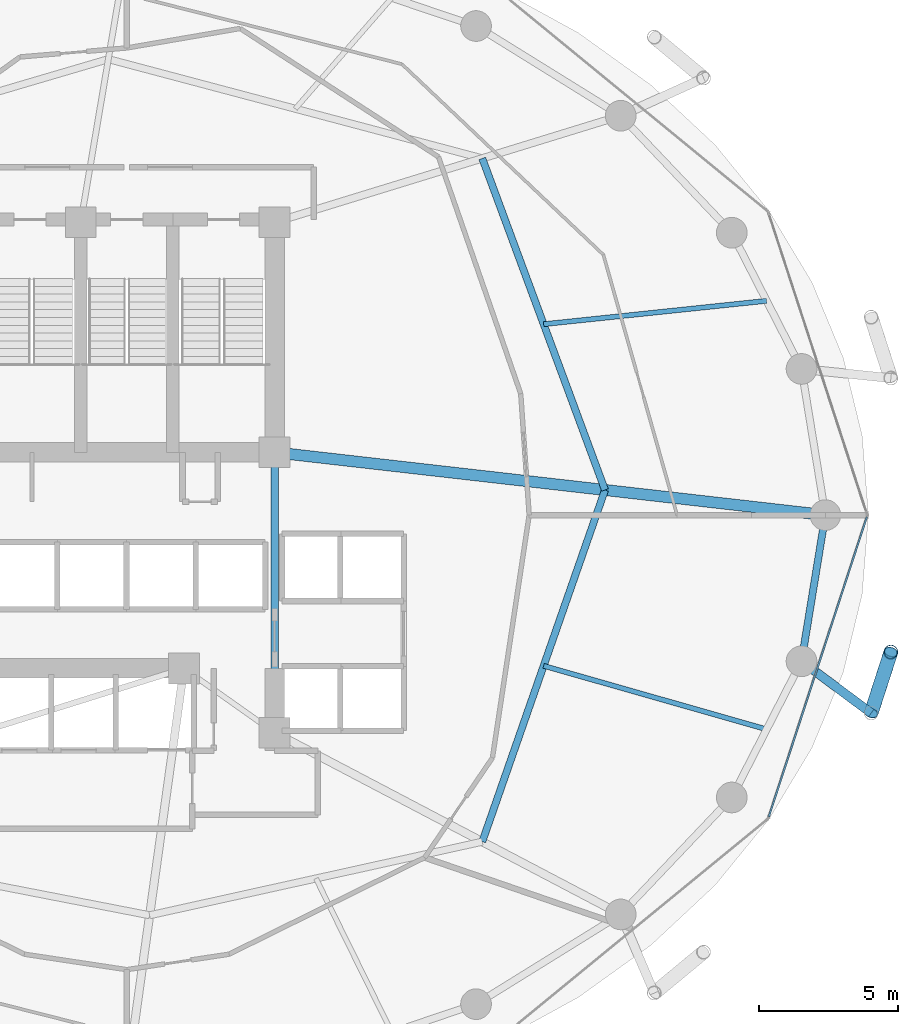
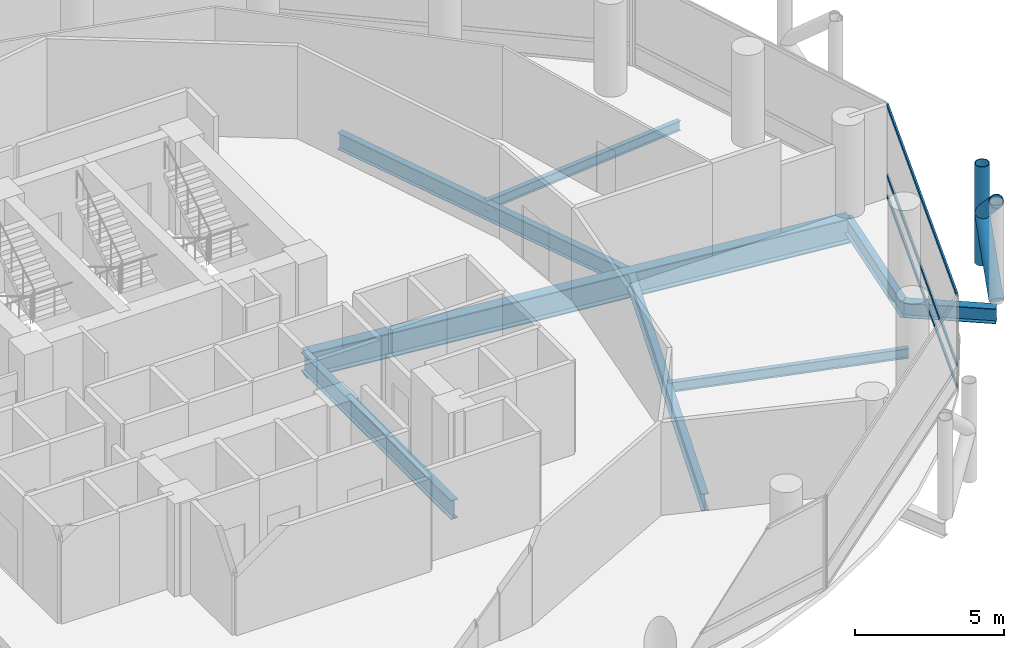
# One storey, part 11 of 24: 8 beams, 6 members, 1 element without a shape of its own.
"""IFC4 building model written with IfcOpenShell, lengths in metres."""

from ifc_helpers import new_model, si_unit, direction, frame, origin, origin_2d, place, context, subcontext, project, spatial, hollow_rectangle, hollow_circle, i_section, extrude, material, layer, layer_set, material_profile, profile_set, type_object, element, aggregate, save


model = new_model("IFC4")

# Units and contexts
model_context = context("Model", 3, precision=1e-05, world=origin(), true_north=direction((0.0, 1.0)))
body_context = subcontext(model_context, "Body", "Model", "MODEL_VIEW")
ifc_project = project(units=[si_unit("LENGTHUNIT", "METRE"), si_unit("AREAUNIT", "SQUARE_METRE"), si_unit("VOLUMEUNIT", "CUBIC_METRE"), si_unit("PLANEANGLEUNIT", "RADIAN"), si_unit("MASSUNIT", "GRAM", prefix="KILO")], contexts=[model_context])

# Site, building, storey
site_placement = place(None, origin())
site = spatial("IfcSite", under=ifc_project, at=site_placement, CompositionType="ELEMENT")
building_placement = place(site_placement, origin())
building = spatial("IfcBuilding", under=site, at=building_placement, Name="Nuhasar Tower", CompositionType="ELEMENT")
storey_placement = place(building_placement, frame((0.0, 0.0, 77.699951171875)))
storey = spatial("IfcBuildingStorey", under=building, at=storey_placement, Name="L18", CompositionType="ELEMENT", Elevation=77.699951171875)

# Beams
ifc_material_1 = material(Name="Steel S355", Category="steel")
ifc_material_profile_1 = material_profile(ifc_material_1, i_section(OverallWidth=0.25390625, OverallDepth=0.68408203125, WebThickness=0.012451171875, FlangeThickness=0.018798828125, at=origin_2d()), Name="W27X94")
ifc_profile_set_1 = profile_set([ifc_material_profile_1], Name="Steel S355")
beam_type_1 = type_object("IfcBeamType", Name="BM-INRING-W27X94", PredefinedType="BEAM", material=ifc_profile_set_1)
beam_1_placement = place(storey_placement, frame((51.748046875, 15.089111328125, -0.592041015625), z_axis=(0.329554049858, 0.944136710558, 0.0), x_axis=(-0.944136710558, 0.329554049858, 0.0)))
element("IfcBeam", 1, at=beam_1_placement, inside=storey, type_object=beam_type_1, Name="L18 Inner Header Beam 03", PredefinedType="BEAM", context=body_context, shape_type="SweptSolid", body=[
    extrude(i_section(OverallWidth=0.25390625, OverallDepth=0.68408203125, WebThickness=0.012451171875, FlangeThickness=0.018798828125, at=origin_2d()), origin(), (0.0, 0.0, 1.0), 13.35693359375),
])
beam_2_placement = place(storey_placement, frame((56.14990234375, 27.699951171875, -0.592041015625), z_axis=(-0.34715757476, 0.937806812881, 0.0), x_axis=(-0.937806812881, -0.34715757476, 0.0)))
element("IfcBeam", 2, at=beam_2_placement, inside=storey, type_object=beam_type_1, Name="L18 Inner Header Beam 04", PredefinedType="BEAM", context=body_context, shape_type="SweptSolid", body=[
    extrude(i_section(OverallWidth=0.25390625, OverallDepth=0.68408203125, WebThickness=0.012451171875, FlangeThickness=0.018798828125, at=origin_2d()), origin(), (0.0, 0.0, 1.0), 12.6796875),
])
ifc_material_profile_2 = material_profile(ifc_material_1, i_section(OverallWidth=0.177978515625, OverallDepth=0.406005859375, WebThickness=0.0078125, FlangeThickness=0.0126953125, at=origin_2d()), Name="W16X40")
ifc_profile_set_2 = profile_set([ifc_material_profile_2], Name="Steel S355")
beam_type_2 = type_object("IfcBeamType", Name="BM-JST-W16X40", PredefinedType="JOIST", material=ifc_profile_set_2)
beam_3_placement = place(storey_placement, frame((53.948974609375, 21.39501953125, -0.452880859375), z_axis=(0.961730884496, -0.273995813484, 0.0), x_axis=(0.273995813484, 0.961730884496, 0.0)))
element("IfcBeam", 3, at=beam_3_placement, inside=storey, type_object=beam_type_2, Name="L18 Secondary Floor Joist 03", PredefinedType="JOIST", context=body_context, shape_type="SweptSolid", body=[
    extrude(i_section(OverallWidth=0.177978515625, OverallDepth=0.406005859375, WebThickness=0.0078125, FlangeThickness=0.0126953125, at=origin_2d()), origin(), (0.0, 0.0, 1.0), 8.314208984375),
])
beam_4_placement = place(storey_placement, frame((53.948974609375, 33.64501953125, -0.452880859375), z_axis=(0.994554594377, 0.104216883485, 0.0), x_axis=(-0.104216883485, 0.994554594377, 0.0)))
element("IfcBeam", 4, at=beam_4_placement, inside=storey, type_object=beam_type_2, Name="L18 Secondary Floor Joist 04", PredefinedType="JOIST", context=body_context, shape_type="SweptSolid", body=[
    extrude(i_section(OverallWidth=0.177978515625, OverallDepth=0.406005859375, WebThickness=0.0078125, FlangeThickness=0.0126953125, at=origin_2d()), origin(), (0.0, 0.0, 1.0), 8.039794921875),
])
ifc_material_profile_3 = material_profile(ifc_material_1, i_section(OverallWidth=0.26611328125, OverallDepth=0.779052734375, WebThickness=0.0166015625, FlangeThickness=0.030029296875, at=origin_2d()), Name="W30X148")
ifc_profile_set_3 = profile_set([ifc_material_profile_3], Name="Steel S355")
beam_type_3 = type_object("IfcBeamType", Name="BM-RAD-W30X148", PredefinedType="BEAM", material=ifc_profile_set_3)
beam_5_placement = place(storey_placement, frame((44.300048828125, 19.0, -0.638916015625), z_axis=(0.0, 1.0, 0.0), x_axis=(-1.0, 0.0, 0.0)))
element("IfcBeam", 5, at=beam_5_placement, inside=storey, type_object=beam_type_3, Name="L18 Core Ring Girder 3", PredefinedType="BEAM", context=body_context, shape_type="SweptSolid", body=[
    extrude(i_section(OverallWidth=0.26611328125, OverallDepth=0.779052734375, WebThickness=0.0166015625, FlangeThickness=0.030029296875, at=origin_2d()), origin(), (0.0, 0.0, 1.0), 10.050048828125),
])
ifc_material_profile_4 = material_profile(ifc_material_1, i_section(OverallWidth=0.256103515625, OverallDepth=0.693115234375, WebThickness=0.014404296875, FlangeThickness=0.023681640625, at=origin_2d()), Name="W27X114")
ifc_profile_set_4 = profile_set([ifc_material_profile_4], Name="Steel S355")
beam_type_4 = type_object("IfcBeamType", Name="BM-RING-W27X114", PredefinedType="SPANDREL", material=ifc_profile_set_4)
beam_6_placement = place(storey_placement, frame((63.196044921875, 21.55908203125, -0.596923828125), z_axis=(0.160826635486, 0.986982671235, 0.0), x_axis=(-0.986982671235, 0.160826635486, 0.0)))
element("IfcBeam", 6, at=beam_6_placement, inside=storey, type_object=beam_type_4, Name="L18 Perimeter Ring Spandrel 24", PredefinedType="SPANDREL", context=body_context, shape_type="SweptSolid", body=[
    extrude(i_section(OverallWidth=0.256103515625, OverallDepth=0.693115234375, WebThickness=0.014404296875, FlangeThickness=0.023681640625, at=origin_2d()), origin(), (0.0, 0.0, 1.0), 5.31005859375),
])
ifc_material_profile_5 = material_profile(ifc_material_1, i_section(OverallWidth=0.323974609375, OverallDepth=0.611083984375, WebThickness=0.0126953125, FlangeThickness=0.01904296875, at=origin_2d()), Name="W24X104")
ifc_profile_set_5 = profile_set([ifc_material_profile_5], Name="Steel S355")
beam_type_5 = type_object("IfcBeamType", Name="BM-TIE-W24X104", PredefinedType="BEAM", material=ifc_profile_set_5)
beam_7_placement = place(storey_placement, frame((63.196044921875, 21.55908203125, -0.554931640625), z_axis=(0.802113478067, -0.597171640572, 0.0), x_axis=(0.597171640572, 0.802113478067, 0.0)))
element("IfcBeam", 7, at=beam_7_placement, inside=storey, type_object=beam_type_5, Name="L18 Exoskeleton Node Tie Beam 12", PredefinedType="BEAM", context=body_context, shape_type="SweptSolid", body=[
    extrude(i_section(OverallWidth=0.323974609375, OverallDepth=0.611083984375, WebThickness=0.0126953125, FlangeThickness=0.01904296875, at=origin_2d()), origin(), (0.0, 0.0, 1.0), 3.111572265625),
])
ifc_material_2 = material(Name="Steel S460", Category="steel")
ifc_material_profile_6 = material_profile(ifc_material_2, i_section(OverallWidth=0.40087890625, OverallDepth=1.010009765625, WebThickness=0.023681640625, FlangeThickness=0.0419921875, at=origin_2d()), Name="W40X297")
ifc_profile_set_6 = profile_set([ifc_material_profile_6], Name="Steel S460")
beam_type_6 = type_object("IfcBeamType", Name="BM-XFER-W40X297", PredefinedType="USERDEFINED", material=ifc_profile_set_6)
beam_8_placement = place(storey_placement, frame((44.300048828125, 29.050048828125, -0.7548828125), z_axis=(0.993573147212, -0.113191877531, 0.0), x_axis=(0.113191877531, 0.993573147212, 0.0)))
element("IfcBeam", 8, at=beam_8_placement, inside=storey, type_object=beam_type_6, Name="L18 Radial Floor Girder 04", ObjectType="GIRDER", PredefinedType="USERDEFINED", context=body_context, shape_type="SweptSolid", body=[
    extrude(i_section(OverallWidth=0.40087890625, OverallDepth=1.010009765625, WebThickness=0.023681640625, FlangeThickness=0.0419921875, at=origin_2d()), origin(), (0.0, 0.0, 1.0), 19.877685546875),
])

# Curtain wall, members
ifc_material_3 = material(Name="Aluminium 6063-T6", Category="aluminium")
ifc_layer = layer(ifc_material_3, 0.199951171875)
ifc_layer_set = layer_set([ifc_layer], Name="Aluminium 6063-T6")
curtain_wall_type = type_object("IfcCurtainWallType", Name="CW-Z1-OFF", PredefinedType="NOTDEFINED", material=ifc_layer_set)
curtain_wall_placement = place(storey_placement, origin())
curtain_wall = element("IfcCurtainWall", 9, at=curtain_wall_placement, inside=storey, type_object=curtain_wall_type, Name="L18 Unitised Curtain Wall 12", PredefinedType="NOTDEFINED")
ifc_material_profile_7 = material_profile(ifc_material_3, hollow_rectangle(XDim=0.06494140625, YDim=0.14990234375, WallThickness=0.00439453125, at=origin_2d()), Name="CWT-2")
ifc_profile_set_7 = profile_set([ifc_material_profile_7], Name="Aluminium 6063-T6")
member_type_1 = type_object("IfcMemberType", Name="CW-TRN-S2", PredefinedType="USERDEFINED", material=ifc_profile_set_7)
member_1_placement = place(storey_placement, frame((62.022216796875, 15.981689453125, 0.032470703125), z_axis=(0.310818687697, 0.950469222741, 0.0), x_axis=(-0.950469222741, 0.310818687697, 0.0)))
member_1 = element("IfcMember", 10, at=member_1_placement, type_object=member_type_1, Name="CW-Z1 transom 1.1", ObjectType="TRANSOM", PredefinedType="USERDEFINED", context=body_context, shape_type="SweptSolid", body=[
    extrude(hollow_rectangle(XDim=0.06494140625, YDim=0.14990234375, WallThickness=0.00439453125, at=origin_2d()), origin(), (0.0, 0.0, 1.0), 11.317138671875),
])
member_2_placement = place(storey_placement, frame((62.022216796875, 15.981689453125, 0.900146484375), z_axis=(0.310818687697, 0.950469222741, 0.0), x_axis=(-0.950469222741, 0.310818687697, 0.0)))
member_2 = element("IfcMember", 11, at=member_2_placement, type_object=member_type_1, Name="CW-Z1 transom 1.2", ObjectType="TRANSOM", PredefinedType="USERDEFINED", context=body_context, shape_type="SweptSolid", body=[
    extrude(hollow_rectangle(XDim=0.06494140625, YDim=0.14990234375, WallThickness=0.00439453125, at=origin_2d()), origin(), (0.0, 0.0, 1.0), 11.317138671875),
])
member_3_placement = place(storey_placement, frame((62.022216796875, 15.981689453125, 3.767578125), z_axis=(0.310818687697, 0.950469222741, 0.0), x_axis=(-0.950469222741, 0.310818687697, 0.0)))
member_3 = element("IfcMember", 12, at=member_3_placement, type_object=member_type_1, Name="CW-Z1 transom 1.3", ObjectType="TRANSOM", PredefinedType="USERDEFINED", context=body_context, shape_type="SweptSolid", body=[
    extrude(hollow_rectangle(XDim=0.06494140625, YDim=0.14990234375, WallThickness=0.00439453125, at=origin_2d()), origin(), (0.0, 0.0, 1.0), 11.317138671875),
])
aggregate(curtain_wall, [member_1, member_2, member_3])

# Members
ifc_material_profile_8 = material_profile(ifc_material_2, hollow_circle(Radius=0.25390625, WallThickness=0.025390625, at=origin_2d()), Name="HSS508X25.4")
ifc_profile_set_8 = profile_set([ifc_material_profile_8], Name="Steel S460")
member_type_2 = type_object("IfcMemberType", Name="EXO-BRONZE-508", PredefinedType="BRACE", material=ifc_profile_set_8)
member_4_placement = place(storey_placement, frame((66.39990234375, 21.889892578125, 0.0), z_axis=(0.0, 0.0, 1.0), x_axis=(1.0, 0.0, 0.0)))
element("IfcMember", 13, at=member_4_placement, inside=storey, type_object=member_type_2, Name="L18 Exoskeleton Chord Column EC-12B", PredefinedType="BRACE", context=body_context, shape_type="SweptSolid", body=[
    extrude(hollow_circle(Radius=0.25390625, WallThickness=0.025390625, at=origin_2d()), origin(), (0.0, 0.0, 1.0), 4.050048828125),
])
member_5_placement = place(storey_placement, frame((65.69189453125, 19.700927734375, 0.0), z_axis=(0.230999678299, 0.714187281251, 0.660738734997), x_axis=(-0.951468282519, 0.307746823478, 0.0)))
element("IfcMember", 14, at=member_5_placement, inside=storey, type_object=member_type_2, Name="L18 Bronze Diagrid Brace W1-12", PredefinedType="BRACE", context=body_context, shape_type="SweptSolid", body=[
    extrude(hollow_circle(Radius=0.25390625, WallThickness=0.025390625, at=origin_2d()), origin(), (0.0, 0.0, 1.0), 3.06494140625),
])
member_6_placement = place(storey_placement, frame((66.39990234375, 21.889892578125, 2.025146484375), z_axis=(-0.231011836313, -0.714224870475, 0.660693851854), x_axis=(0.951468282519, -0.307746823478, 0.0)))
element("IfcMember", 15, at=member_6_placement, inside=storey, type_object=member_type_2, Name="L18 Bronze Diagrid Brace W2-12", PredefinedType="BRACE", context=body_context, shape_type="SweptSolid", body=[
    extrude(hollow_circle(Radius=0.25390625, WallThickness=0.025390625, at=origin_2d()), origin(), (0.0, 0.0, 1.0), 3.064697265625),
])

save(model, "model.ifc")
